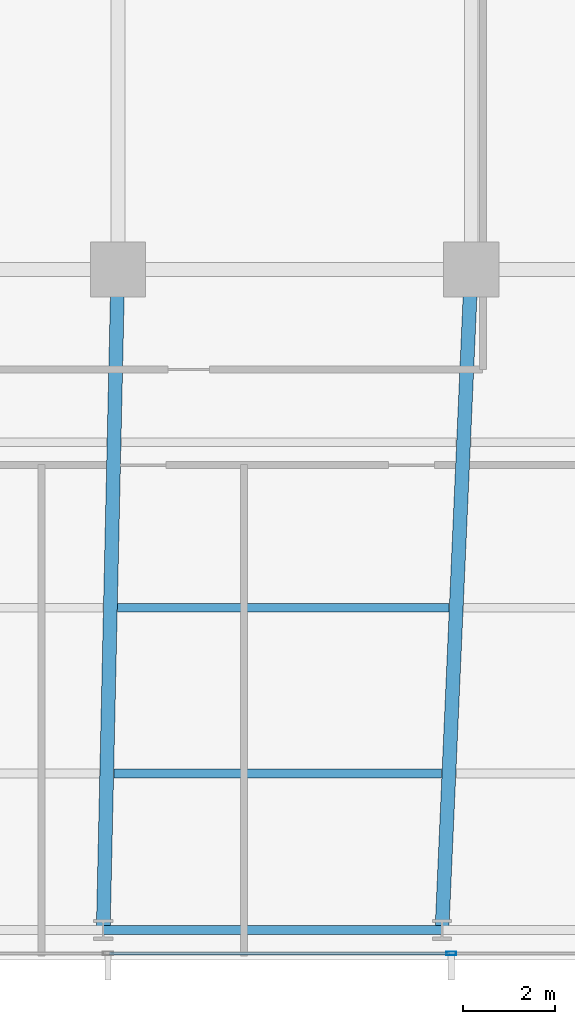
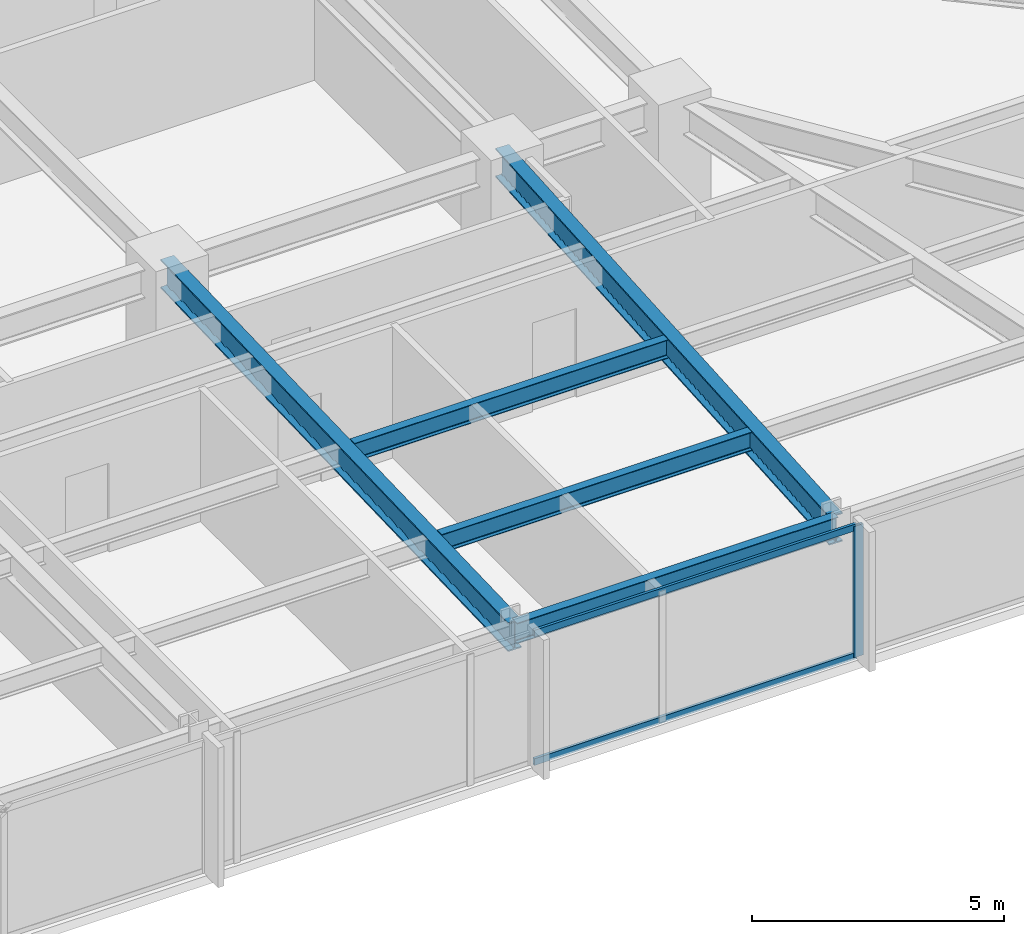
# One storey, part 12 of 32: 5 beams, 3 members, 1 element without a shape of its own.
"""IFC4 building model written with IfcOpenShell, lengths in metres."""

from ifc_helpers import new_model, si_unit, direction, frame, origin, origin_2d, place, context, subcontext, project, spatial, hollow_rectangle, i_section, extrude, material, material_profile, profile_set, type_object, element, aggregate, save


model = new_model("IFC4")

# Units and contexts
model_context = context("Model", 3, precision=1e-05, world=origin(), true_north=direction((0.0, 1.0)))
body_context = subcontext(model_context, "Body", "Model", "MODEL_VIEW")
ifc_project = project(units=[si_unit("LENGTHUNIT", "METRE"), si_unit("AREAUNIT", "SQUARE_METRE"), si_unit("VOLUMEUNIT", "CUBIC_METRE"), si_unit("PLANEANGLEUNIT", "RADIAN"), si_unit("MASSUNIT", "GRAM", prefix="KILO")], contexts=[model_context])

# Site, building, storey
site_placement = place(None, origin())
site = spatial("IfcSite", under=ifc_project, at=site_placement, CompositionType="ELEMENT")
building_placement = place(site_placement, origin())
building = spatial("IfcBuilding", under=site, at=building_placement, Name="Yelkora Congress Tower", CompositionType="ELEMENT")
storey_placement = place(building_placement, frame((0.0, 0.0, 40.60009765625)))
storey = spatial("IfcBuildingStorey", under=building, at=storey_placement, Name="L09", CompositionType="ELEMENT", Elevation=40.60009765625)

# Beams
ifc_material_1 = material(Name="Steel S355J2", Category="steel")
ifc_material_profile_1 = material_profile(ifc_material_1, i_section(OverallWidth=0.300048828125, OverallDepth=0.699951171875, WebThickness=0.01708984375, FlangeThickness=0.031982421875, FilletRadius=0.027099609375, at=origin_2d()), Name="HEB 700")
ifc_profile_set_1 = profile_set([ifc_material_profile_1], Name="Steel S355J2")
beam_type_1 = type_object("IfcBeamType", Name="BM-GIRD-HEB700", PredefinedType="BEAM", material=ifc_profile_set_1)
beam_1_placement = place(storey_placement, frame((45.762451171875, 10.85009765625, 2.829833984375), z_axis=(0.022129088136, 0.999755121746, 0.0), x_axis=(-0.999755121746, 0.022129088136, 0.0)))
element("IfcBeam", 1, at=beam_1_placement, inside=storey, type_object=beam_type_1, Name="L09 Primary Frame Girder S06", PredefinedType="BEAM", context=body_context, shape_type="SweptSolid", body=[
    extrude(i_section(OverallWidth=0.300048828125, OverallDepth=0.699951171875, WebThickness=0.01708984375, FlangeThickness=0.031982421875, FilletRadius=0.027099609375, at=origin_2d()), origin(), (0.0, 0.0, 1.0), 14.353271484375),
])
beam_2_placement = place(storey_placement, frame((53.125, 10.85009765625, 2.829833984375), z_axis=(0.044208738849, 0.999022315771, 0.0), x_axis=(-0.999022315771, 0.044208738849, 0.0)))
element("IfcBeam", 2, at=beam_2_placement, inside=storey, type_object=beam_type_1, Name="L09 Primary Frame Girder S07", PredefinedType="BEAM", context=body_context, shape_type="SweptSolid", body=[
    extrude(i_section(OverallWidth=0.300048828125, OverallDepth=0.699951171875, WebThickness=0.01708984375, FlangeThickness=0.031982421875, FilletRadius=0.027099609375, at=origin_2d()), origin(), (0.0, 0.0, 1.0), 14.364013671875),
])
ifc_material_profile_2 = material_profile(ifc_material_1, i_section(OverallWidth=0.18994140625, OverallDepth=0.449951171875, WebThickness=0.009521484375, FlangeThickness=0.0146484375, FilletRadius=0.02099609375, at=origin_2d()), Name="IPE 450")
ifc_profile_set_2 = profile_set([ifc_material_profile_2], Name="Steel S355J2")
beam_type_2 = type_object("IfcBeamType", Name="BM-JOIST-IPE450", PredefinedType="JOIST", material=ifc_profile_set_2)
beam_3_placement = place(storey_placement, frame((45.997802734375, 14.25, 2.954833984375), z_axis=(1.0, 0.0, 0.0), x_axis=(0.0, 1.0, 0.0)))
element("IfcBeam", 3, at=beam_3_placement, inside=storey, type_object=beam_type_2, Name="L09 Composite Floor Joist 6", PredefinedType="JOIST", context=body_context, shape_type="SweptSolid", body=[
    extrude(i_section(OverallWidth=0.18994140625, OverallDepth=0.449951171875, WebThickness=0.009521484375, FlangeThickness=0.0146484375, FilletRadius=0.02099609375, at=origin_2d()), origin(), (0.0, 0.0, 1.0), 7.11767578125),
])
beam_4_placement = place(storey_placement, frame((46.077392578125, 17.85009765625, 2.954833984375), z_axis=(1.0, 0.0, 0.0), x_axis=(0.0, 1.0, 0.0)))
element("IfcBeam", 4, at=beam_4_placement, inside=storey, type_object=beam_type_2, Name="L09 Composite Floor Joist 14", PredefinedType="JOIST", context=body_context, shape_type="SweptSolid", body=[
    extrude(i_section(OverallWidth=0.18994140625, OverallDepth=0.449951171875, WebThickness=0.009521484375, FlangeThickness=0.0146484375, FilletRadius=0.02099609375, at=origin_2d()), origin(), (0.0, 0.0, 1.0), 7.197509765625),
])
ifc_material_profile_3 = material_profile(ifc_material_1, i_section(OverallWidth=0.199951171875, OverallDepth=0.5, WebThickness=0.01025390625, FlangeThickness=0.01611328125, FilletRadius=0.02099609375, at=origin_2d()), Name="IPE 500")
ifc_profile_set_3 = profile_set([ifc_material_profile_3], Name="Steel S355J2")
beam_type_3 = type_object("IfcBeamType", Name="BM-SPAN-IPE500", PredefinedType="SPANDREL", material=ifc_profile_set_3)
beam_5_placement = place(storey_placement, frame((45.762451171875, 10.85009765625, 2.929931640625), z_axis=(1.0, 0.0, 0.0), x_axis=(0.0, 1.0, 0.0)))
element("IfcBeam", 5, at=beam_5_placement, inside=storey, type_object=beam_type_3, Name="L09 Perimeter Beam 7", PredefinedType="SPANDREL", context=body_context, shape_type="SweptSolid", body=[
    extrude(i_section(OverallWidth=0.199951171875, OverallDepth=0.5, WebThickness=0.01025390625, FlangeThickness=0.01611328125, FilletRadius=0.02099609375, at=origin_2d()), origin(), (0.0, 0.0, 1.0), 7.362548828125),
])

# Curtain wall, members
ifc_material_2 = material(Name="Anodised aluminium and insulated glass", Category="aluminium")
curtain_wall_type = type_object("IfcCurtainWallType", Name="CW-SYS-B1", PredefinedType="NOTDEFINED", material=ifc_material_2)
curtain_wall_placement = place(storey_placement, origin())
curtain_wall = element("IfcCurtainWall", 6, at=curtain_wall_placement, inside=storey, type_object=curtain_wall_type, Name="L09 Unitised Curtain Wall 20", PredefinedType="NOTDEFINED")
ifc_material_3 = material(Name="Anodised aluminium 6063-T6", Category="aluminium")
ifc_material_profile_4 = material_profile(ifc_material_3, hollow_rectangle(XDim=0.074951171875, YDim=0.219970703125, WallThickness=0.0048828125, at=origin_2d()), Name="ALU 75x220x5")
ifc_profile_set_4 = profile_set([ifc_material_profile_4], Name="Anodised aluminium 6063-T6")
member_type_1 = type_object("IfcMemberType", Name="MEM-ML-B1", PredefinedType="MULLION", material=ifc_profile_set_4)
member_1_placement = place(storey_placement, frame((53.330078125, 10.340087890625, 0.0), z_axis=(0.0, 0.0, 1.0), x_axis=(0.0, -1.0, 0.0)))
member_1 = element("IfcMember", 7, at=member_1_placement, type_object=member_type_1, Name="CW-B1 mullion 3", PredefinedType="MULLION", context=body_context, shape_type="SweptSolid", body=[
    extrude(hollow_rectangle(XDim=0.074951171875, YDim=0.219970703125, WallThickness=0.0048828125, at=origin_2d()), origin(), (0.0, 0.0, 1.0), 3.179931640625),
])
ifc_material_profile_5 = material_profile(ifc_material_3, hollow_rectangle(XDim=0.06494140625, YDim=0.159912109375, WallThickness=0.00390625, at=origin_2d()), Name="ALU 65x160x4")
ifc_profile_set_5 = profile_set([ifc_material_profile_5], Name="Anodised aluminium 6063-T6")
member_type_2 = type_object("IfcMemberType", Name="MEM-TR-B1", PredefinedType="USERDEFINED", material=ifc_profile_set_5)
member_2_placement = place(storey_placement, frame((53.29248046875, 10.340087890625, 0.032470703125), z_axis=(-1.0, 0.0, 0.0), x_axis=(0.0, -1.0, 0.0)))
member_2 = element("IfcMember", 8, at=member_2_placement, type_object=member_type_2, Name="CW-B1 transom 3.1", ObjectType="TRANSOM", PredefinedType="USERDEFINED", context=body_context, shape_type="SweptSolid", body=[
    extrude(hollow_rectangle(XDim=0.06494140625, YDim=0.159912109375, WallThickness=0.00390625, at=origin_2d()), origin(), (0.0, 0.0, 1.0), 7.389892578125),
])
member_3_placement = place(storey_placement, frame((53.29248046875, 10.340087890625, 3.1474609375), z_axis=(-1.0, 0.0, 0.0), x_axis=(0.0, -1.0, 0.0)))
member_3 = element("IfcMember", 9, at=member_3_placement, type_object=member_type_2, Name="CW-B1 transom 3.2", ObjectType="TRANSOM", PredefinedType="USERDEFINED", context=body_context, shape_type="SweptSolid", body=[
    extrude(hollow_rectangle(XDim=0.06494140625, YDim=0.159912109375, WallThickness=0.00390625, at=origin_2d()), origin(), (0.0, 0.0, 1.0), 7.389892578125),
])
aggregate(curtain_wall, [member_1, member_2, member_3])

save(model, "model.ifc")
